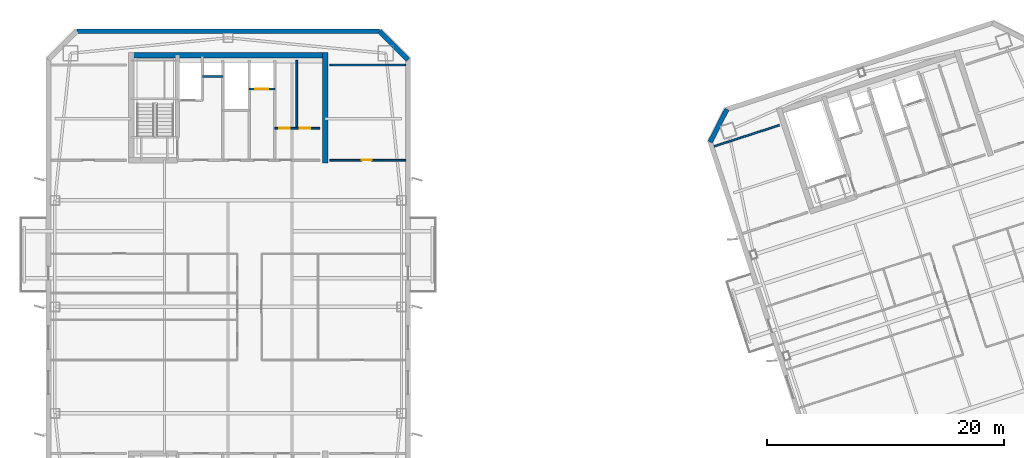
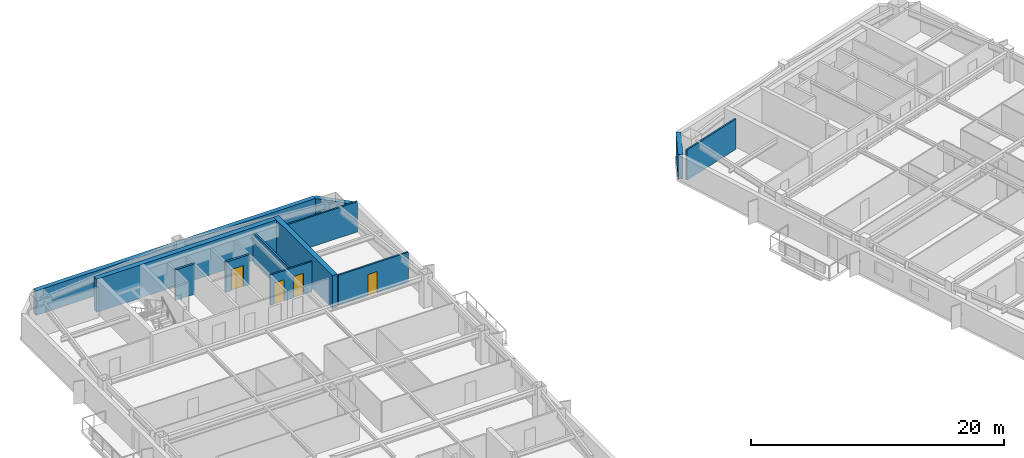
# One storey, part 7 of 17: 12 walls, 4 doors, 4 openings.
"""IFC4 building model written with IfcOpenShell, lengths in metres."""

from ifc_helpers import new_model, si_unit, direction, frame, frame_2d, origin, place, context, subcontext, project, spatial, rectangle, extrude, material, layer, layer_set, type_object, element, fill, save


model = new_model("IFC4")

# Units and contexts
model_context = context("Model", 3, precision=1e-05, world=origin(), true_north=direction((0.0, 1.0)))
body_context = subcontext(model_context, "Body", "Model", "MODEL_VIEW")
ifc_project = project(units=[si_unit("LENGTHUNIT", "METRE"), si_unit("AREAUNIT", "SQUARE_METRE"), si_unit("VOLUMEUNIT", "CUBIC_METRE"), si_unit("PLANEANGLEUNIT", "RADIAN"), si_unit("MASSUNIT", "GRAM", prefix="KILO")], contexts=[model_context])

# Site, building, storey
site_placement = place(None, origin())
site = spatial("IfcSite", under=ifc_project, at=site_placement, CompositionType="ELEMENT")
building_placement = place(site_placement, origin())
building = spatial("IfcBuilding", under=site, at=building_placement, Name="Qiaolan Cultural Towers", CompositionType="ELEMENT")
storey_placement = place(building_placement, frame((0.0, 0.0, 247.199951171875)))
storey = spatial("IfcBuildingStorey", under=building, at=storey_placement, Name="L67", CompositionType="ELEMENT", Elevation=247.199951171875)

# Walls
ifc_material_1 = material(Name="Concrete C50", Category="concrete")
ifc_layer_1 = layer(ifc_material_1, 0.449951171875)
ifc_layer_set_1 = layer_set([ifc_layer_1], Name="Concrete C50")
wall_type_1 = type_object("IfcWallType", Name="WL-CORE-450", PredefinedType="SHEAR", material=ifc_layer_set_1)
wall_1_placement = place(storey_placement, frame((21.574951171875, 55.280029296875, 0.0), z_axis=(0.0, 0.0, 1.0), x_axis=(1.0, 0.0, 0.0)))
element("IfcWall", 1, at=wall_1_placement, inside=storey, type_object=wall_type_1, Name="L67 T1-CN Outer Core Shear Wall", PredefinedType="SHEAR", context=body_context, shape_type="SweptSolid", body=[
    extrude(rectangle(XDim=16.85009765625, YDim=0.449951171875, at=frame_2d((8.425048828125, 0.0))), origin(), (0.0, 0.0, 1.0), 3.199951171875),
])
wall_2_placement = place(storey_placement, frame((38.199951171875, 46.175048828125, 0.0), z_axis=(0.0, 0.0, 1.0), x_axis=(0.0, 1.0, 0.0)))
element("IfcWall", 2, at=wall_2_placement, inside=storey, type_object=wall_type_1, Name="L67 T1-CN East Core Shear Wall", PredefinedType="SHEAR", context=body_context, shape_type="SweptSolid", body=[
    extrude(rectangle(XDim=9.329833984375, YDim=0.449951171875, at=frame_2d((4.6650390625, 0.0))), origin(), (0.0, 0.0, 1.0), 3.199951171875),
])
ifc_material_2 = material(Name="Precast Concrete C50 Honed Stone Pier", Category="masonry")
ifc_layer_2 = layer(ifc_material_2, 0.39990234375)
ifc_layer_set_2 = layer_set([ifc_layer_2], Name="Precast Concrete C50 Honed Stone Pier")
wall_type_2 = type_object("IfcWallType", Name="WL-EXT-PIER-400", PredefinedType="SOLIDWALL", material=ifc_layer_set_2)
wall_3_placement = place(storey_placement, frame((17.199951171875, 57.300048828125, 0.0), z_axis=(0.0, 0.0, 1.0), x_axis=(1.0, 0.0, 0.0)))
element("IfcWall", 3, at=wall_3_placement, inside=storey, type_object=wall_type_2, Name="L67 West Tower Precast Pier Facade Wall F3", PredefinedType="SOLIDWALL", context=body_context, shape_type="SweptSolid", body=[
    extrude(rectangle(XDim=25.60009765625, YDim=0.39990234375, at=frame_2d((12.800048828125, 0.0))), origin(), (0.0, 0.0, 1.0), 2.360107421875),
])
wall_4_placement = place(storey_placement, frame((42.800048828125, 57.300048828125, 0.0), z_axis=(0.0, 0.0, 1.0), x_axis=(0.707070815327, -0.707142745217, 0.0)))
element("IfcWall", 4, at=wall_4_placement, inside=storey, type_object=wall_type_2, Name="L67 West Tower Precast Pier Facade Wall F4", PredefinedType="SOLIDWALL", context=body_context, shape_type="SweptSolid", body=[
    extrude(rectangle(XDim=3.39404296875, YDim=0.39990234375, at=frame_2d((1.697021484375, 0.0))), origin(), (0.0, 0.0, 1.0), 2.360107421875),
])
wall_5_placement = place(storey_placement, frame((70.752197265625, 47.93408203125, 0.0), z_axis=(0.0, 0.0, 1.0), x_axis=(0.453949291228, 0.891027519774, 0.0)))
element("IfcWall", 5, at=wall_5_placement, inside=storey, type_object=wall_type_2, Name="L67 East Tower Precast Pier Facade Wall F2", PredefinedType="SOLIDWALL", context=body_context, shape_type="SweptSolid", body=[
    extrude(rectangle(XDim=3.111328125, YDim=0.39990234375, at=frame_2d((1.5556640625, 0.0))), origin(), (0.0, 0.0, 1.0), 2.360107421875),
])
ifc_material_3 = material(Name="Concrete C35 Fire Wall", Category="concrete")
ifc_layer_3 = layer(ifc_material_3, 0.199951171875)
ifc_layer_set_3 = layer_set([ifc_layer_3], Name="Concrete C35 Fire Wall")
wall_type_3 = type_object("IfcWallType", Name="WL-FIRE-200", PredefinedType="PARTITIONING", material=ifc_layer_set_3)
wall_6_placement = place(storey_placement, frame((27.820068359375, 53.47998046875, 0.0), z_axis=(0.0, 0.0, 1.0), x_axis=(1.0, 0.0, 0.0)))
element("IfcWall", 6, at=wall_6_placement, inside=storey, type_object=wall_type_3, Name="L67 T1-CN Pressurization Shaft Front Wall", PredefinedType="PARTITIONING", context=body_context, shape_type="SweptSolid", body=[
    extrude(rectangle(XDim=1.72998046875, YDim=0.199951171875, at=frame_2d((0.864990234375, 0.0))), origin(), (0.0, 0.0, 1.0), 2.925048828125),
])

# Wall, opening, door
wall_7_placement = place(storey_placement, frame((31.780029296875, 52.419921875, 0.0), z_axis=(0.0, 0.0, 1.0), x_axis=(1.0, 0.0, 0.0)))
wall_7 = element("IfcWall", 7, at=wall_7_placement, inside=storey, type_object=wall_type_3, Name="L67 T1-CN Shuttle Lift Shaft Front", PredefinedType="PARTITIONING", context=body_context, shape_type="SweptSolid", body=[
    extrude(rectangle(XDim=2.169921875, YDim=0.199951171875, at=frame_2d((1.0849609375, 0.0))), origin(), (0.0, 0.0, 1.0), 2.925048828125),
])
opening_1_placement = place(wall_7_placement, frame((0.52001953125, 0.0, 0.0)))
opening_1 = element("IfcOpeningElement", 8, at=opening_1_placement, cuts=wall_7, Name="Opening LD-01", PredefinedType="OPENING", context=body_context, shape_type="SweptSolid", body=[
    extrude(rectangle(XDim=1.10009765625, YDim=2.050048828125, at=frame_2d((0.550048828125, 1.02490234375))), frame((0.0, 0.10986328125, 0.0), z_axis=(0.0, -1.0, 0.0), x_axis=(1.0, 0.0, 0.0)), (0.0, 0.0, 1.0), 0.219970703125),
])
ifc_material_4 = material(Name="Brushed Stainless Steel S30408 Centre-Parting Lift Landing Door", Category="steel")
door_type_1 = type_object("IfcDoorType", Name="DR-LIFT-1100", OperationType="NOTDEFINED", PredefinedType="DOOR", material=ifc_material_4)
door_1_placement = place(opening_1_placement, origin())
door_1 = element("IfcDoor", 9, at=door_1_placement, inside=storey, type_object=door_type_1, Name="L67 Sky Shuttle Lift Landing Door", OperationType="DOUBLE_DOOR_SLIDING", OverallHeight=2.050048828125, OverallWidth=1.10009765625, PredefinedType="DOOR", context=body_context, shape_type="SweptSolid", body=[
    extrude(rectangle(XDim=1.10009765625, YDim=2.050048828125, at=frame_2d((0.550048828125, 1.02490234375))), frame((0.0, 0.02490234375, 0.0), z_axis=(0.0, -1.0, 0.0), x_axis=(1.0, 0.0, 0.0)), (0.0, 0.0, 1.0), 0.050048828125),
])
fill(opening_1, door_1)

# Wall, openings, doors
ifc_material_5 = material(Name="Autoclaved Aerated Concrete Block B06", Category="concrete")
ifc_layer_4 = layer(ifc_material_5, 0.14990234375)
ifc_layer_set_4 = layer_set([ifc_layer_4], Name="Autoclaved Aerated Concrete Block B06")
wall_type_4 = type_object("IfcWallType", Name="WL-PART-150", PredefinedType="PARTITIONING", material=ifc_layer_set_4)
wall_8_placement = place(storey_placement, frame((33.949951171875, 49.10009765625, 0.0), z_axis=(0.0, 0.0, 1.0), x_axis=(1.0, 0.0, 0.0)))
wall_8 = element("IfcWall", 10, at=wall_8_placement, inside=storey, type_object=wall_type_4, Name="L67 T1-CN Restroom Vestibule Wall", PredefinedType="PARTITIONING", context=body_context, shape_type="SweptSolid", body=[
    extrude(rectangle(XDim=3.800048828125, YDim=0.14990234375, at=frame_2d((1.89990234375, 0.0))), origin(), (0.0, 0.0, 1.0), 2.925048828125),
])
opening_2_placement = place(wall_8_placement, frame((0.35009765625, 0.0, 0.0)))
opening_2 = element("IfcOpeningElement", 11, at=opening_2_placement, cuts=wall_8, Name="Opening ID-06", PredefinedType="OPENING", context=body_context, shape_type="SweptSolid", body=[
    extrude(rectangle(XDim=0.89990234375, YDim=2.050048828125, at=frame_2d((0.449951171875, 1.02490234375))), frame((0.0, 0.0849609375, 0.0), z_axis=(0.0, -1.0, 0.0), x_axis=(1.0, 0.0, 0.0)), (0.0, 0.0, 1.0), 0.169921875),
])
opening_3_placement = place(wall_8_placement, frame((2.10009765625, 0.0, 0.0)))
opening_3 = element("IfcOpeningElement", 12, at=opening_3_placement, cuts=wall_8, Name="Opening ID-06", PredefinedType="OPENING", context=body_context, shape_type="SweptSolid", body=[
    extrude(rectangle(XDim=0.89990234375, YDim=2.050048828125, at=frame_2d((0.449951171875, 1.02490234375))), frame((0.0, 0.0849609375, 0.0), z_axis=(0.0, -1.0, 0.0), x_axis=(1.0, 0.0, 0.0)), (0.0, 0.0, 1.0), 0.169921875),
])
ifc_material_6 = material(Name="Fire-Rated Laminate Core Service Door", Category="timber")
door_type_2 = type_object("IfcDoorType", Name="DR-INT-900", OperationType="NOTDEFINED", PredefinedType="DOOR", material=ifc_material_6)
door_2_placement = place(opening_2_placement, origin())
door_2 = element("IfcDoor", 13, at=door_2_placement, inside=storey, type_object=door_type_2, Name="L67 Men Restroom Door", OperationType="SINGLE_SWING_LEFT", OverallHeight=2.050048828125, OverallWidth=0.89990234375, PredefinedType="DOOR", context=body_context, shape_type="SweptSolid", body=[
    extrude(rectangle(XDim=0.89990234375, YDim=2.050048828125, at=frame_2d((0.449951171875, 1.02490234375))), frame((0.0, 0.02490234375, 0.0), z_axis=(0.0, -1.0, 0.0), x_axis=(1.0, 0.0, 0.0)), (0.0, 0.0, 1.0), 0.050048828125),
])
fill(opening_2, door_2)
door_3_placement = place(opening_3_placement, origin())
door_3 = element("IfcDoor", 14, at=door_3_placement, inside=storey, type_object=door_type_2, Name="L67 Accessible & Women Restroom Door", OperationType="SINGLE_SWING_RIGHT", OverallHeight=2.050048828125, OverallWidth=0.89990234375, PredefinedType="DOOR", context=body_context, shape_type="SweptSolid", body=[
    extrude(rectangle(XDim=0.89990234375, YDim=2.050048828125, at=frame_2d((0.449951171875, 1.02490234375))), frame((0.0, 0.02490234375, 0.0), z_axis=(0.0, -1.0, 0.0), x_axis=(1.0, 0.0, 0.0)), (0.0, 0.0, 1.0), 0.050048828125),
])
fill(opening_3, door_3)

# Walls
wall_9_placement = place(storey_placement, frame((35.800048828125, 49.10009765625, 0.0), z_axis=(0.0, 0.0, 1.0), x_axis=(0.0, 1.0, 0.0)))
element("IfcWall", 15, at=wall_9_placement, inside=storey, type_object=wall_type_4, Name="L67 T1-CN Restroom Divider Wall", PredefinedType="PARTITIONING", context=body_context, shape_type="SweptSolid", body=[
    extrude(rectangle(XDim=5.72998046875, YDim=0.14990234375, at=frame_2d((2.864990234375, 0.0))), origin(), (0.0, 0.0, 1.0), 2.925048828125),
])
wall_10_placement = place(storey_placement, frame((38.60009765625, 54.449951171875, 0.0), z_axis=(0.0, 0.0, 1.0), x_axis=(1.0, 0.0, 0.0)))
element("IfcWall", 16, at=wall_10_placement, inside=storey, type_object=wall_type_4, Name="L67 T1 Flank Wall FLK-NE", PredefinedType="PARTITIONING", context=body_context, shape_type="SweptSolid", body=[
    extrude(rectangle(XDim=6.39990234375, YDim=0.14990234375, at=frame_2d((3.199951171875, 0.0))), origin(), (0.0, 0.0, 1.0), 2.925048828125),
])

# Wall, opening, door
wall_11_placement = place(storey_placement, frame((38.60009765625, 46.39990234375, 0.0), z_axis=(0.0, 0.0, 1.0), x_axis=(1.0, 0.0, 0.0)))
wall_11 = element("IfcWall", 17, at=wall_11_placement, inside=storey, type_object=wall_type_4, Name="L67 T1 Flank Front FLK-NE", PredefinedType="PARTITIONING", context=body_context, shape_type="SweptSolid", body=[
    extrude(rectangle(XDim=6.39990234375, YDim=0.14990234375, at=frame_2d((3.199951171875, 0.0))), origin(), (0.0, 0.0, 1.0), 2.925048828125),
])
opening_4_placement = place(wall_11_placement, frame((2.68798828125, 0.0, 0.0)))
opening_4 = element("IfcOpeningElement", 18, at=opening_4_placement, cuts=wall_11, Name="Opening ID-09", PredefinedType="OPENING", context=body_context, shape_type="SweptSolid", body=[
    extrude(rectangle(XDim=0.85009765625, YDim=2.050048828125, at=frame_2d((0.425048828125, 1.02490234375))), frame((0.0, 0.0849609375, 0.0), z_axis=(0.0, -1.0, 0.0), x_axis=(1.0, 0.0, 0.0)), (0.0, 0.0, 1.0), 0.169921875),
])
ifc_material_7 = material(Name="Moisture-Resistant Laminate Utility Door", Category="timber")
door_type_3 = type_object("IfcDoorType", Name="DR-INT-850", OperationType="NOTDEFINED", PredefinedType="DOOR", material=ifc_material_7)
door_4_placement = place(opening_4_placement, origin())
door_4 = element("IfcDoor", 19, at=door_4_placement, inside=storey, type_object=door_type_3, Name="L67 T1 Corner Studio Door", OperationType="SINGLE_SWING_LEFT", OverallHeight=2.050048828125, OverallWidth=0.85009765625, PredefinedType="DOOR", context=body_context, shape_type="SweptSolid", body=[
    extrude(rectangle(XDim=0.85009765625, YDim=2.050048828125, at=frame_2d((0.425048828125, 1.02490234375))), frame((0.0, 0.02490234375, 0.0), z_axis=(0.0, -1.0, 0.0), x_axis=(1.0, 0.0, 0.0)), (0.0, 0.0, 1.0), 0.050048828125),
])
fill(opening_4, door_4)

# Wall
wall_12_placement = place(storey_placement, frame((71.081298828125, 47.56787109375, 0.0), z_axis=(0.0, 0.0, 1.0), x_axis=(0.951059431056, 0.309008023519, 0.0)))
element("IfcWall", 20, at=wall_12_placement, inside=storey, type_object=wall_type_4, Name="L67 T2 Flank Wall FLK-NW", PredefinedType="PARTITIONING", context=body_context, shape_type="SweptSolid", body=[
    extrude(rectangle(XDim=5.800048828125, YDim=0.14990234375, at=frame_2d((2.89990234375, 0.0))), origin(), (0.0, 0.0, 1.0), 2.925048828125),
])

save(model, "model.ifc")
